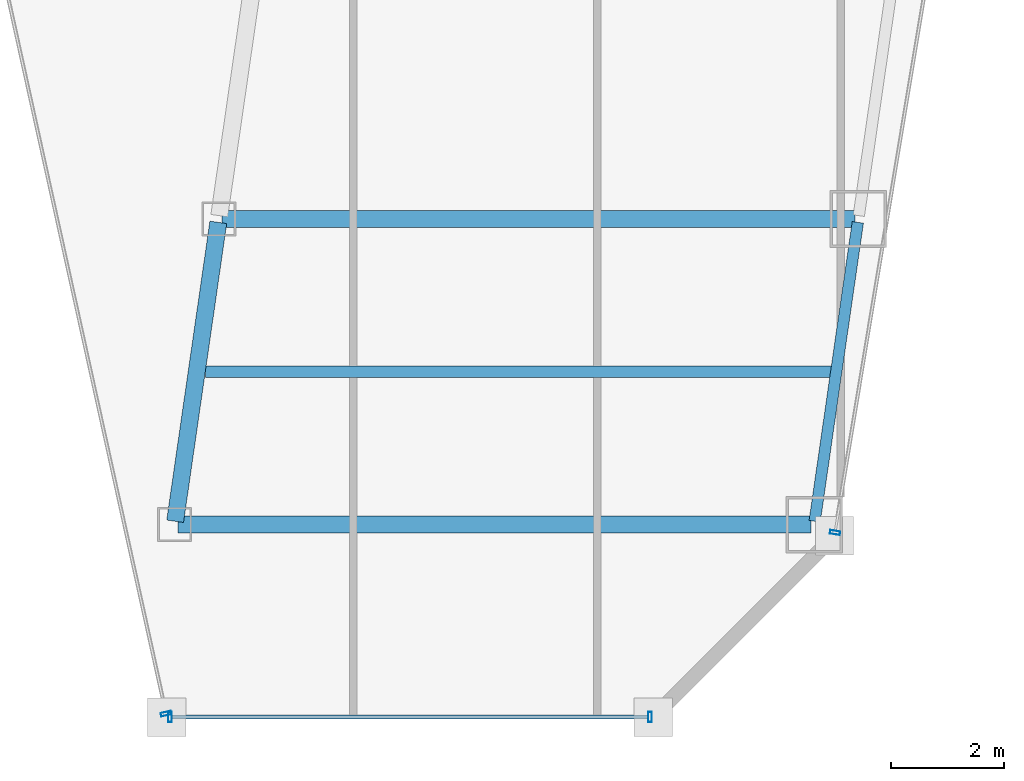
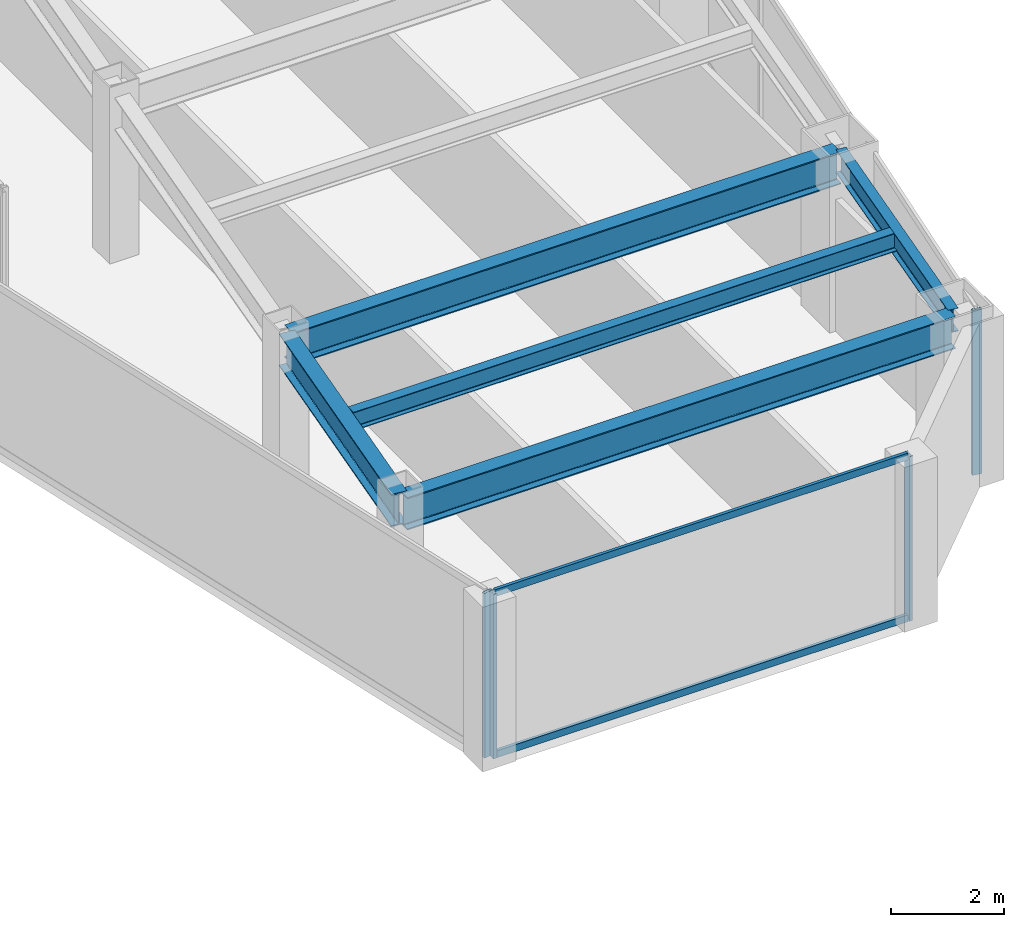
# One storey, part 14 of 37: 6 members, 5 beams, 3 elements without a shape of their own.
"""IFC4 building model written with IfcOpenShell, lengths in metres."""

from ifc_helpers import new_model, si_unit, direction, frame, origin, origin_2d, place, context, subcontext, project, spatial, hollow_rectangle, i_section, extrude, material, material_profile, profile_set, type_object, element, aggregate, save


model = new_model("IFC4")

# Units and contexts
model_context = context("Model", 3, precision=1e-05, world=origin(), true_north=direction((0.0, 1.0)))
body_context = subcontext(model_context, "Body", "Model", "MODEL_VIEW")
ifc_project = project(units=[si_unit("LENGTHUNIT", "METRE"), si_unit("AREAUNIT", "SQUARE_METRE"), si_unit("VOLUMEUNIT", "CUBIC_METRE"), si_unit("PLANEANGLEUNIT", "RADIAN"), si_unit("MASSUNIT", "GRAM", prefix="KILO")], contexts=[model_context])

# Site, building, storey
site_placement = place(None, origin())
site = spatial("IfcSite", under=ifc_project, at=site_placement, CompositionType="ELEMENT")
building_placement = place(site_placement, origin())
building = spatial("IfcBuilding", under=site, at=building_placement, Name="Saevonmaru Cultural Tower", CompositionType="ELEMENT")
storey_placement = place(building_placement, frame((0.0, 0.0, 141.0)))
storey = spatial("IfcBuildingStorey", under=building, at=storey_placement, Name="L30", CompositionType="ELEMENT", Elevation=141.0)

# Beams
ifc_material_1 = material(Name="Steel SM355", Category="steel")
ifc_material_profile_1 = material_profile(ifc_material_1, i_section(OverallWidth=0.300048828125, OverallDepth=0.699951171875, WebThickness=0.012939453125, FlangeThickness=0.02392578125, FilletRadius=0.02587890625, at=origin_2d()), Name="H-700x300x13x24")
ifc_profile_set_1 = profile_set([ifc_material_profile_1], Name="Steel SM355")
beam_type_1 = type_object("IfcBeamType", Name="BM-G-H700", PredefinedType="BEAM", material=ifc_profile_set_1)
beam_1_placement = place(storey_placement, frame((37.300537109375, 10.659423828125, 3.199951171875), z_axis=(0.142977693794, 0.989725911087, 0.0), x_axis=(-0.989725911087, 0.142977693794, 0.0)))
element("IfcBeam", 1, at=beam_1_placement, inside=storey, type_object=beam_type_1, Name="L30 East Atrium Girder 1", PredefinedType="BEAM", context=body_context, shape_type="SweptSolid", body=[
    extrude(i_section(OverallWidth=0.300048828125, OverallDepth=0.699951171875, WebThickness=0.012939453125, FlangeThickness=0.02392578125, FilletRadius=0.02587890625, at=origin_2d()), origin(), (0.0, 0.0, 1.0), 5.336181640625),
])
for number, where, z_axis, x_axis, name in (
    (2, (37.35205078125, 10.60009765625, 3.199951171875), (1.0, 0.0, 0.0), (0.0, 1.0, 0.0), "L30 East Wing Transverse Girder 1"),
    (3, (38.132080078125, 16.0, 3.199951171875), (1.0, 0.0, 0.0), (0.0, 1.0, 0.0), "L30 East Wing Transverse Girder 2"),
):
    element("IfcBeam", number, at=place(storey_placement, frame(where, z_axis=z_axis, x_axis=x_axis)), inside=storey, type_object=beam_type_1, Name=name, PredefinedType="BEAM", context=body_context, shape_type="SweptSolid", body=[
        extrude(i_section(OverallWidth=0.300048828125, OverallDepth=0.699951171875, WebThickness=0.012939453125, FlangeThickness=0.02392578125, FilletRadius=0.02587890625, at=origin_2d()), origin(), (0.0, 0.0, 1.0), 11.179931640625),
    ])
ifc_material_profile_2 = material_profile(ifc_material_1, i_section(OverallWidth=0.199951171875, OverallDepth=0.39990234375, WebThickness=0.008056640625, FlangeThickness=0.012939453125, FilletRadius=0.01611328125, at=origin_2d()), Name="H-400x200x8x13")
ifc_profile_set_2 = profile_set([ifc_material_profile_2], Name="Steel SM355")
beam_type_2 = type_object("IfcBeamType", Name="BM-J-H400", PredefinedType="JOIST", material=ifc_profile_set_2)
beam_2_placement = place(storey_placement, frame((37.840087890625, 13.300048828125, 3.35009765625), z_axis=(1.0, 0.0, 0.0), x_axis=(0.0, 1.0, 0.0)))
element("IfcBeam", 4, at=beam_2_placement, inside=storey, type_object=beam_type_2, Name="L30 East Wing Floor Joist 1", PredefinedType="JOIST", context=body_context, shape_type="SweptSolid", body=[
    extrude(i_section(OverallWidth=0.199951171875, OverallDepth=0.39990234375, WebThickness=0.008056640625, FlangeThickness=0.012939453125, FilletRadius=0.01611328125, at=origin_2d()), origin(), (0.0, 0.0, 1.0), 11.08203125),
])
ifc_material_profile_3 = material_profile(ifc_material_1, i_section(OverallWidth=0.199951171875, OverallDepth=0.5, WebThickness=0.010009765625, FlangeThickness=0.01611328125, FilletRadius=0.02001953125, at=origin_2d()), Name="H-500x200x10x16")
ifc_profile_set_3 = profile_set([ifc_material_profile_3], Name="Steel SM355")
beam_type_3 = type_object("IfcBeamType", Name="BM-SP-H500", PredefinedType="SPANDREL", material=ifc_profile_set_3)
beam_3_placement = place(storey_placement, frame((48.6005859375, 10.659423828125, 3.300048828125), z_axis=(0.1429328758, 0.989732384544, 0.0), x_axis=(-0.989732384544, 0.1429328758, 0.0)))
element("IfcBeam", 5, at=beam_3_placement, inside=storey, type_object=beam_type_3, Name="L30 East Splayed Spandrel 1", PredefinedType="SPANDREL", context=body_context, shape_type="SweptSolid", body=[
    extrude(i_section(OverallWidth=0.199951171875, OverallDepth=0.5, WebThickness=0.010009765625, FlangeThickness=0.01611328125, FilletRadius=0.02001953125, at=origin_2d()), origin(), (0.0, 0.0, 1.0), 5.3359375),
])

# Curtain wall, member
ifc_material_2 = material(Name="Satin Bronze Anodised Aluminium", Category="aluminium")
curtain_wall_type = type_object("IfcCurtainWallType", Name="CW-TYP-A", PredefinedType="NOTDEFINED", material=ifc_material_2)
curtain_wall_1_placement = place(storey_placement, origin())
curtain_wall_1 = element("IfcCurtainWall", 6, at=curtain_wall_1_placement, inside=storey, type_object=curtain_wall_type, Name="L30 Unitised Curtain Wall E5", PredefinedType="NOTDEFINED")
ifc_material_profile_4 = material_profile(ifc_material_2, hollow_rectangle(XDim=0.06494140625, YDim=0.179931640625, WallThickness=0.00390625, at=origin_2d()), Name="ALU-MULL-180x65x4")
ifc_profile_set_4 = profile_set([ifc_material_profile_4], Name="Satin Bronze Anodised Aluminium")
member_type_1 = type_object("IfcMemberType", Name="ML-CW-180x65", PredefinedType="MULLION", material=ifc_profile_set_4)
member_1_placement = place(storey_placement, frame((37.13818359375, 7.258544921875, 0.0), z_axis=(0.0, 0.0, 1.0), x_axis=(0.215413319953, -0.976522965212, 0.0)))
member_1 = element("IfcMember", 7, at=member_1_placement, type_object=member_type_1, Name="CW-TW-L30-E5 mullion 2", PredefinedType="MULLION", context=body_context, shape_type="SweptSolid", body=[
    extrude(hollow_rectangle(XDim=0.06494140625, YDim=0.179931640625, WallThickness=0.00390625, at=origin_2d()), origin(), (0.0, 0.0, 1.0), 3.550048828125),
])
aggregate(curtain_wall_1, [member_1])

# Curtain wall, members
curtain_wall_2_placement = place(storey_placement, origin())
curtain_wall_2 = element("IfcCurtainWall", 8, at=curtain_wall_2_placement, inside=storey, type_object=curtain_wall_type, Name="L30 Unitised Curtain Wall E6", PredefinedType="NOTDEFINED")
member_2_placement = place(storey_placement, frame((37.211181640625, 7.199951171875, 0.0), z_axis=(0.0, 0.0, 1.0), x_axis=(1.0, 0.0, 0.0)))
member_2 = element("IfcMember", 9, at=member_2_placement, type_object=member_type_1, Name="CW-TW-L30-E6 mullion 1", PredefinedType="MULLION", context=body_context, shape_type="SweptSolid", body=[
    extrude(hollow_rectangle(XDim=0.06494140625, YDim=0.179931640625, WallThickness=0.00390625, at=origin_2d()), origin(), (0.0, 0.0, 1.0), 3.550048828125),
])
member_3_placement = place(storey_placement, frame((45.691162109375, 7.199951171875, 0.0), z_axis=(0.0, 0.0, 1.0), x_axis=(1.0, 0.0, 0.0)))
member_3 = element("IfcMember", 10, at=member_3_placement, type_object=member_type_1, Name="CW-TW-L30-E6 mullion 2", PredefinedType="MULLION", context=body_context, shape_type="SweptSolid", body=[
    extrude(hollow_rectangle(XDim=0.06494140625, YDim=0.179931640625, WallThickness=0.00390625, at=origin_2d()), origin(), (0.0, 0.0, 1.0), 3.550048828125),
])

# Curtain wall, member
curtain_wall_3_placement = place(storey_placement, origin())
curtain_wall_3 = element("IfcCurtainWall", 11, at=curtain_wall_3_placement, inside=storey, type_object=curtain_wall_type, Name="L30 Unitised Curtain Wall E8", PredefinedType="NOTDEFINED")
member_4_placement = place(storey_placement, frame((48.9609375, 10.459228515625, 0.0), z_axis=(0.0, 0.0, 1.0), x_axis=(0.163998702345, 0.986460554523, 0.0)))
member_4 = element("IfcMember", 12, at=member_4_placement, type_object=member_type_1, Name="CW-TW-L30-E8 mullion 1", PredefinedType="MULLION", context=body_context, shape_type="SweptSolid", body=[
    extrude(hollow_rectangle(XDim=0.06494140625, YDim=0.179931640625, WallThickness=0.00390625, at=origin_2d()), origin(), (0.0, 0.0, 1.0), 3.550048828125),
])
aggregate(curtain_wall_3, [member_4])

# Member
ifc_material_profile_5 = material_profile(ifc_material_2, hollow_rectangle(XDim=0.06494140625, YDim=0.14990234375, WallThickness=0.00390625, at=origin_2d()), Name="ALU-TRAN-150x65x4")
ifc_profile_set_5 = profile_set([ifc_material_profile_5], Name="Satin Bronze Anodised Aluminium")
member_type_2 = type_object("IfcMemberType", Name="TR-CW-150x65", PredefinedType="USERDEFINED", material=ifc_profile_set_5)
member_5_placement = place(storey_placement, frame((37.24365234375, 7.199951171875, 0.032470703125), z_axis=(1.0, 0.0, 0.0), x_axis=(0.0, 1.0, 0.0)))
member_5 = element("IfcMember", 13, at=member_5_placement, type_object=member_type_2, Name="CW-TW-L30-E6 transom 1.1", ObjectType="TRANSOM", PredefinedType="USERDEFINED", context=body_context, shape_type="SweptSolid", body=[
    extrude(hollow_rectangle(XDim=0.06494140625, YDim=0.14990234375, WallThickness=0.00390625, at=origin_2d()), origin(), (0.0, 0.0, 1.0), 8.4150390625),
])

member_6_placement = place(storey_placement, frame((37.24365234375, 7.199951171875, 3.517578125), z_axis=(1.0, 0.0, 0.0), x_axis=(0.0, 1.0, 0.0)))
member_6 = element("IfcMember", 14, at=member_6_placement, type_object=member_type_2, Name="CW-TW-L30-E6 transom 1.2", ObjectType="TRANSOM", PredefinedType="USERDEFINED", context=body_context, shape_type="SweptSolid", body=[
    extrude(hollow_rectangle(XDim=0.06494140625, YDim=0.14990234375, WallThickness=0.00390625, at=origin_2d()), origin(), (0.0, 0.0, 1.0), 8.4150390625),
])

aggregate(curtain_wall_2, [member_2, member_3, member_5, member_6])

save(model, "model.ifc")
